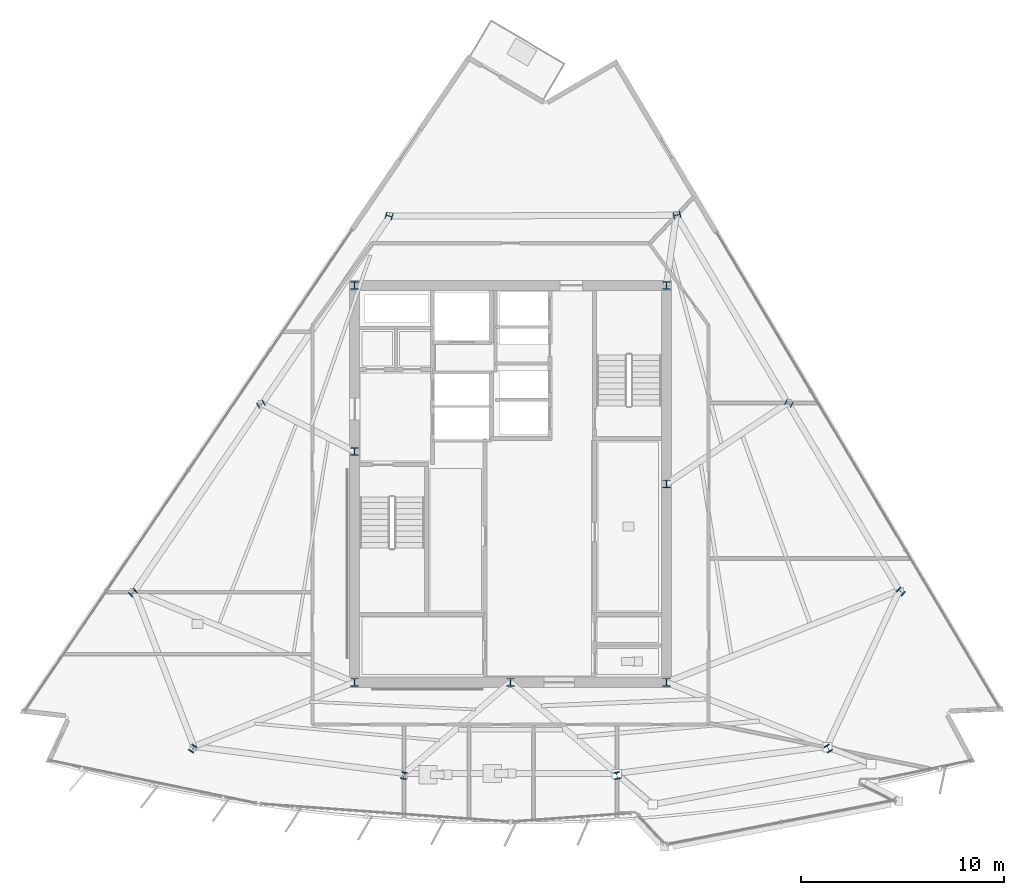
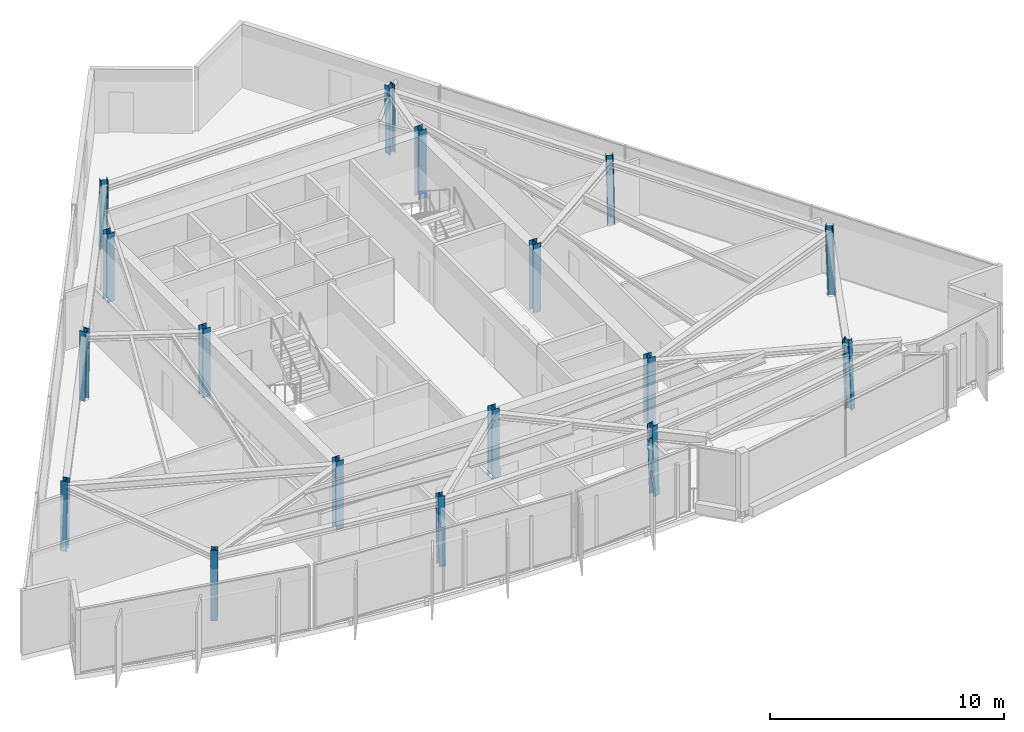
# One storey, part 1 of 12: 17 columns.
"""IFC4 building model written with IfcOpenShell, lengths in metres."""

from ifc_helpers import new_model, si_unit, direction, frame, origin, origin_2d, place, context, subcontext, project, spatial, i_section, extrude, material, material_profile, profile_set, type_object, element, save


model = new_model("IFC4")

# Units and contexts
model_context = context("Model", 3, precision=1e-05, world=origin(), true_north=direction((0.0, 1.0)))
body_context = subcontext(model_context, "Body", "Model", "MODEL_VIEW")
ifc_project = project(units=[si_unit("LENGTHUNIT", "METRE"), si_unit("AREAUNIT", "SQUARE_METRE"), si_unit("VOLUMEUNIT", "CUBIC_METRE"), si_unit("PLANEANGLEUNIT", "RADIAN"), si_unit("MASSUNIT", "GRAM", prefix="KILO")], contexts=[model_context])

# Site, building, storey
site_placement = place(None, origin())
site = spatial("IfcSite", under=ifc_project, at=site_placement, CompositionType="ELEMENT")
building_placement = place(site_placement, origin())
building = spatial("IfcBuilding", under=site, at=building_placement, Name="Savorim Split Tower", CompositionType="ELEMENT")
storey_placement = place(building_placement, frame((0.0, 0.0, 261.60009765625)))
storey = spatial("IfcBuildingStorey", under=building, at=storey_placement, Name="L69", CompositionType="ELEMENT", Elevation=261.60009765625)

# Columns
ifc_material = material(Name="Steel S355", Category="steel")
ifc_material_profile_1 = material_profile(ifc_material, i_section(OverallWidth=0.30908203125, OverallDepth=0.330078125, WebThickness=0.011474609375, FlangeThickness=0.01904296875, FilletRadius=0.027099609375, at=origin_2d()), Name="HD 320x158")
ifc_profile_set_1 = profile_set([ifc_material_profile_1], Name="Steel S355")
column_type_1 = type_object("IfcColumnType", Name="COL-HD-158", PredefinedType="COLUMN", material=ifc_profile_set_1)
column_1_placement = place(storey_placement, frame((-15.70556640625, -12.687744140625, 0.00537109375), z_axis=(0.020594893987, 0.033509183946, 0.999226193078), x_axis=(-0.851954850327, 0.523615252838, 0.0)))
element("IfcColumn", 1, at=column_1_placement, inside=storey, type_object=column_type_1, Name="L69 Tapered Perimeter Column PC-S1", PredefinedType="COLUMN", context=body_context, shape_type="SweptSolid", body=[
    extrude(i_section(OverallWidth=0.30908203125, OverallDepth=0.330078125, WebThickness=0.011474609375, FlangeThickness=0.01904296875, FilletRadius=0.027099609375, at=origin_2d()), origin(), (0.0, 0.0, 1.0), 3.591796875),
])
for number, where, z_axis, x_axis, name in (
    (2, (-5.263671875, -14.0283203125, 0.00537109375), (0.006865858153, 0.03521301508, 0.99935624457), (-0.981516643497, 0.191376797284, 0.0), "L69 Tapered Perimeter Column PC-S2"),
    (3, (5.263671875, -14.0283203125, 0.00537109375), (-0.006865858153, 0.03521301508, 0.99935624457), (-0.981516643497, -0.191376797284, 0.0), "L69 Tapered Perimeter Column PC-S3"),
):
    element("IfcColumn", number, at=place(storey_placement, frame(where, z_axis=z_axis, x_axis=x_axis)), inside=storey, type_object=column_type_1, Name=name, PredefinedType="COLUMN", context=body_context, shape_type="SweptSolid", body=[
        extrude(i_section(OverallWidth=0.30908203125, OverallDepth=0.330078125, WebThickness=0.011474609375, FlangeThickness=0.01904296875, FilletRadius=0.027099609375, at=origin_2d()), origin(), (0.0, 0.0, 1.0), 3.59130859375),
    ])
column_2_placement = place(storey_placement, frame((15.70556640625, -12.687744140625, 0.00537109375), z_axis=(-0.020594893987, 0.033509183946, 0.999226193078), x_axis=(-0.851954850327, -0.523615252838, 0.0)))
element("IfcColumn", 4, at=column_2_placement, inside=storey, type_object=column_type_1, Name="L69 Tapered Perimeter Column PC-S4", PredefinedType="COLUMN", context=body_context, shape_type="SweptSolid", body=[
    extrude(i_section(OverallWidth=0.30908203125, OverallDepth=0.330078125, WebThickness=0.011474609375, FlangeThickness=0.01904296875, FilletRadius=0.027099609375, at=origin_2d()), origin(), (0.0, 0.0, 1.0), 3.591796875),
])
column_3_placement = place(storey_placement, frame((19.29150390625, -4.940673828125, 0.00537109375), z_axis=(-0.026037725696, 0.021618790526, 0.9994271683), x_axis=(-0.638800249892, -0.769372628015, 0.0)))
element("IfcColumn", 5, at=column_3_placement, inside=storey, type_object=column_type_1, Name="L69 Tapered Perimeter Column PC-E1", PredefinedType="COLUMN", context=body_context, shape_type="SweptSolid", body=[
    extrude(i_section(OverallWidth=0.30908203125, OverallDepth=0.330078125, WebThickness=0.011474609375, FlangeThickness=0.01904296875, FilletRadius=0.027099609375, at=origin_2d()), origin(), (0.0, 0.0, 1.0), 3.591064453125),
])
column_4_placement = place(storey_placement, frame((13.75732421875, 4.366455078125, 0.00537109375), z_axis=(-0.018906041, 0.009521027842, 0.999775930718), x_axis=(-0.449781931574, -0.893138406984, 0.0)))
element("IfcColumn", 6, at=column_4_placement, inside=storey, type_object=column_type_1, Name="L69 Tapered Perimeter Column PC-E2", PredefinedType="COLUMN", context=body_context, shape_type="SweptSolid", body=[
    extrude(i_section(OverallWidth=0.30908203125, OverallDepth=0.330078125, WebThickness=0.011474609375, FlangeThickness=0.01904296875, FilletRadius=0.027099609375, at=origin_2d()), origin(), (0.0, 0.0, 1.0), 3.58984375),
])
for number, where, z_axis, x_axis, name in (
    (7, (8.223388671875, 13.673583984375, 0.00537109375), (-0.011767052893, -0.002584670578, 0.999927425339), (0.214538664031, -0.976715496773, 0.0), "L69 Tapered Perimeter Column PC-E3"),
    (8, (-5.99560546875, 13.624755859375, 0.00537109375), (0.008842560589, -0.00258474848, 0.999957563198), (0.280566991813, 0.959834445675, 0.0), "L69 Tapered Perimeter Column PC-W1"),
):
    element("IfcColumn", number, at=place(storey_placement, frame(where, z_axis=z_axis, x_axis=x_axis)), inside=storey, type_object=column_type_1, Name=name, PredefinedType="COLUMN", context=body_context, shape_type="SweptSolid", body=[
        extrude(i_section(OverallWidth=0.30908203125, OverallDepth=0.330078125, WebThickness=0.011474609375, FlangeThickness=0.01904296875, FilletRadius=0.027099609375, at=origin_2d()), origin(), (0.0, 0.0, 1.0), 3.58935546875),
    ])
column_5_placement = place(storey_placement, frame((-12.326904296875, 4.317626953125, 0.00537109375), z_axis=(0.01700241672, 0.009521353363, 0.999810112799), x_axis=(-0.488603368932, 0.87250601595, 0.0)))
element("IfcColumn", 9, at=column_5_placement, inside=storey, type_object=column_type_1, Name="L69 Tapered Perimeter Column PC-W2", PredefinedType="COLUMN", context=body_context, shape_type="SweptSolid", body=[
    extrude(i_section(OverallWidth=0.30908203125, OverallDepth=0.330078125, WebThickness=0.011474609375, FlangeThickness=0.01904296875, FilletRadius=0.027099609375, at=origin_2d()), origin(), (0.0, 0.0, 1.0), 3.58984375),
])
column_6_placement = place(storey_placement, frame((-18.658203125, -4.989501953125, 0.00537109375), z_axis=(0.025222449659, 0.021619242565, 0.999448065876), x_axis=(-0.650791373456, 0.759256602365, 0.0)))
element("IfcColumn", 10, at=column_6_placement, inside=storey, type_object=column_type_1, Name="L69 Tapered Perimeter Column PC-W3", PredefinedType="COLUMN", context=body_context, shape_type="SweptSolid", body=[
    extrude(i_section(OverallWidth=0.30908203125, OverallDepth=0.330078125, WebThickness=0.011474609375, FlangeThickness=0.01904296875, FilletRadius=0.027099609375, at=origin_2d()), origin(), (0.0, 0.0, 1.0), 3.591064453125),
])
ifc_material_profile_2 = material_profile(ifc_material, i_section(OverallWidth=0.3740234375, OverallDepth=0.3720703125, WebThickness=0.01220703125, FlangeThickness=0.02001953125, FilletRadius=0.014892578125, at=origin_2d()), Name="HD 360x196")
ifc_profile_set_2 = profile_set([ifc_material_profile_2], Name="Steel S355")
column_type_2 = type_object("IfcColumnType", Name="COL-HD-196", PredefinedType="COLUMN", material=ifc_profile_set_2)
for number, where, z_axis, x_axis, name in (
    (11, (-7.699951171875, -9.39990234375, 0.0), (0.0, 0.0, 1.0), (1.0, 0.0, 0.0), "L69 Core Structural Column TC-C1"),
    (12, (7.699951171875, -9.39990234375, 0.0), (0.0, 0.0, 1.0), (1.0, 0.0, 0.0), "L69 Core Structural Column TC-C2"),
    (13, (7.699951171875, 10.199951171875, 0.0), (0.0, 0.0, 1.0), (1.0, 0.0, 0.0), "L69 Core Structural Column TC-C3"),
    (14, (-7.699951171875, 10.199951171875, 0.0), (0.0, 0.0, 1.0), (1.0, 0.0, 0.0), "L69 Core Structural Column TC-C4"),
    (15, (0.0, -9.39990234375, 0.0), (0.0, 0.0, 1.0), (1.0, 0.0, 0.0), "L69 Core Structural Column TC-C5"),
    (16, (7.699951171875, 0.39990234375, 0.0), (0.0, 0.0, 1.0), (1.0, 0.0, 0.0), "L69 Core Structural Column TC-C6"),
    (17, (-7.699951171875, 2.0, 0.0), (0.0, 0.0, 1.0), (1.0, 0.0, 0.0), "L69 Core Structural Column TC-C7"),
):
    element("IfcColumn", number, at=place(storey_placement, frame(where, z_axis=z_axis, x_axis=x_axis)), inside=storey, type_object=column_type_2, Name=name, PredefinedType="COLUMN", context=body_context, shape_type="SweptSolid", body=[
        extrude(i_section(OverallWidth=0.3740234375, OverallDepth=0.3720703125, WebThickness=0.01220703125, FlangeThickness=0.02001953125, FilletRadius=0.014892578125, at=origin_2d()), origin(), (0.0, 0.0, 1.0), 3.599853515625),
    ])

save(model, "model.ifc")
